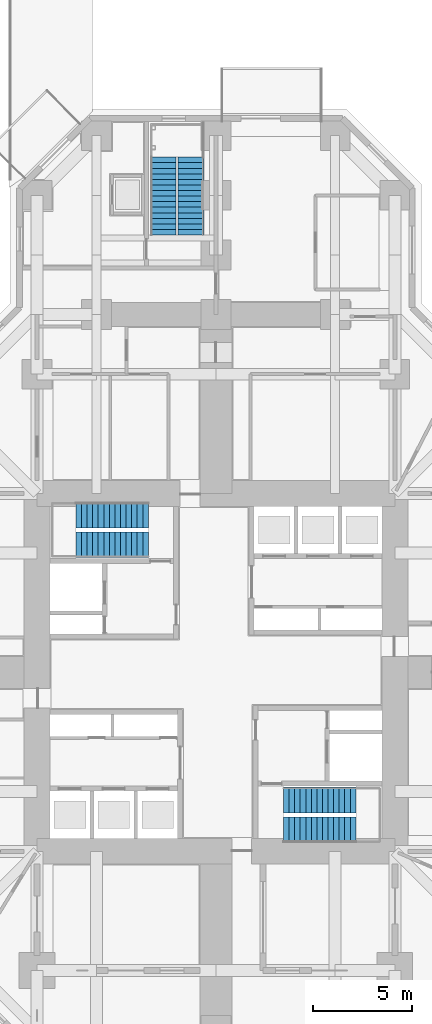
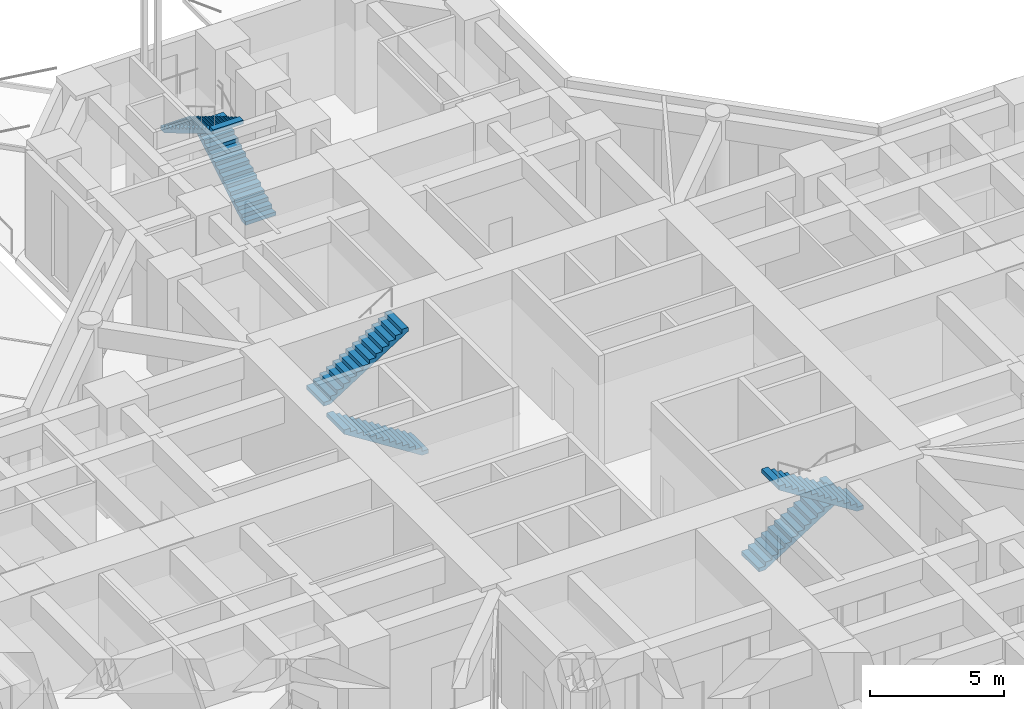
# One storey, part 11 of 14: 6 stair flights, 3 elements without a shape of their own.
"""IFC4 building model written with IfcOpenShell, lengths in metres."""

import ifcopenshell
import ifcopenshell.guid

model = None  # the IFC model being written
_history = None  # IfcOwnerHistory: only IFC2X3 demands one
_inside = {}  # id of a spatial element -> (the spatial element, [elements in it])
_under = {}  # id of a project, library or spatial element -> (it, [spatial elements below it])
_declared = {}  # id of a project -> (the project, [libraries it declares])
_typed = {}  # id of a type object -> (the type object, [elements of that type])
_made_of = {}  # id of a material, layer set ... -> (it, [elements and type objects made of it])


def new_model(schema):
    """Start an empty IFC model of exactly this schema.

    Asked for "IFC4X3", IfcOpenShell would pick the latest addendum, in which some entities
    have other attributes; the version numbers below select the first issue.
    IFC2X3 requires an IfcOwnerHistory on every rooted entity: one is made here for all.
    """
    global model, _history
    if schema == "IFC4X3":
        model = ifcopenshell.file(schema_version=(4, 3, 0, 0))
    else:
        model = ifcopenshell.file(schema=schema)
    _inside.clear()
    _under.clear()
    _declared.clear()
    _typed.clear()
    _made_of.clear()
    _history = None
    if model.schema == "IFC2X3":
        org = make("IfcOrganization", Name="unknown")
        user = make(
            "IfcPersonAndOrganization",
            ThePerson=make("IfcPerson", FamilyName="unknown"),
            TheOrganization=org,
        )
        app = make(
            "IfcApplication",
            ApplicationDeveloper=org,
            Version="unknown",
            ApplicationFullName="unknown",
            ApplicationIdentifier="unknown",
        )
        _history = make(
            "IfcOwnerHistory",
            OwningUser=user,
            OwningApplication=app,
            ChangeAction="ADDED",
            CreationDate=0,
        )
    return model


def make(cls, **values):
    """One entity of the class cls with the attributes given. An attribute that is None is left unset."""
    return model.create_entity(
        cls, **{name: value for name, value in values.items() if value is not None}
    )


def rooted(cls, **values):
    """An entity with a GlobalId (a new one), such as an element, a storey or a relation."""
    return make(cls, GlobalId=ifcopenshell.guid.new(), OwnerHistory=_history, **values)


def si_unit(unit_type, name, prefix=None):
    """IfcSIUnit, for example si_unit("LENGTHUNIT", "METRE", prefix="MILLI")."""
    return make("IfcSIUnit", UnitType=unit_type, Prefix=prefix, Name=name)


def assignment(units):
    """IfcUnitAssignment: the units of a project."""
    return None if units is None else make("IfcUnitAssignment", Units=units)


def point(xyz):
    """IfcCartesianPoint."""
    return None if xyz is None else make("IfcCartesianPoint", Coordinates=xyz)


def direction(xyz):
    """IfcDirection."""
    return None if xyz is None else make("IfcDirection", DirectionRatios=xyz)


def frame(location, z_axis=None, x_axis=None):
    """IfcAxis2Placement3D, a coordinate frame: its origin and axes. An axis left out is left unset."""
    return make(
        "IfcAxis2Placement3D",
        Location=point(location),
        Axis=direction(z_axis),
        RefDirection=direction(x_axis),
    )


def origin():
    """The frame at (0, 0, 0) with its axes left unset."""
    return frame((0.0, 0.0, 0.0))


def place(relative_to, where):
    """IfcLocalPlacement: puts the frame where relative to a parent placement (None: the world)."""
    return make(
        "IfcLocalPlacement", PlacementRelTo=relative_to, RelativePlacement=where
    )


def context(
    kind, dimensions, precision=None, world=None, true_north=None, identifier=None
):
    """IfcGeometricRepresentationContext, for example the 3D "Model" context."""
    return make(
        "IfcGeometricRepresentationContext",
        ContextIdentifier=identifier,
        ContextType=kind,
        CoordinateSpaceDimension=dimensions,
        Precision=precision,
        WorldCoordinateSystem=world,
        TrueNorth=true_north,
    )


def subcontext(parent, identifier, kind, view, scale=None):
    """IfcGeometricRepresentationSubContext, for example "Body" below "Model"."""
    return make(
        "IfcGeometricRepresentationSubContext",
        ContextIdentifier=identifier,
        ContextType=kind,
        ParentContext=parent,
        TargetScale=scale,
        TargetView=view,
    )


def project(units=None, contexts=None):
    """IfcProject with its units and contexts."""
    return rooted(
        "IfcProject",
        Name="project",
        RepresentationContexts=contexts,
        UnitsInContext=assignment(units),
    )


def spatial(cls, under=None, at=None, **own):
    """A site, building, storey or space (cls), placed at a placement, below another one or the project."""
    s = rooted(cls, ObjectPlacement=at, **own)
    if under is not None:
        _under.setdefault(under.id(), (under, []))[1].append(s)
    return s


def polyline(points):
    """IfcPolyline through the points."""
    return make("IfcPolyline", Points=[point(p) for p in points])


def outline(outer, holes=None, kind="AREA"):
    """IfcArbitraryClosedProfileDef: a profile drawn as a closed curve; with holes, ...WithVoids."""
    if holes is None:
        return make("IfcArbitraryClosedProfileDef", ProfileType=kind, OuterCurve=outer)
    return make(
        "IfcArbitraryProfileDefWithVoids",
        ProfileType=kind,
        OuterCurve=outer,
        InnerCurves=holes,
    )


def extrude(swept, where, along, depth):
    """IfcExtrudedAreaSolid: the profile swept, set in the frame where, extruded along a direction by depth."""
    return make(
        "IfcExtrudedAreaSolid",
        SweptArea=swept,
        Position=where,
        ExtrudedDirection=direction(along),
        Depth=depth,
    )


def shape(context_of_items, identifier, shape_type, items):
    """IfcShapeRepresentation: the items that make up one representation, for example the "Body"."""
    return make(
        "IfcShapeRepresentation",
        ContextOfItems=context_of_items,
        RepresentationIdentifier=identifier,
        RepresentationType=shape_type,
        Items=items,
    )


def material(Name=None, Category=None):
    """IfcMaterial."""
    return make("IfcMaterial", Name=Name, Category=Category)


def made_of(thing, what):
    """Note that an element or type object is made of a material, layer set ...; save() writes the relation."""
    if what is not None:
        _made_of.setdefault(what.id(), (what, []))[1].append(thing)
    return thing


def type_object(cls, material=None, **own):
    """A type object (cls), such as IfcWallType, which elements share."""
    return made_of(rooted(cls, **own), material)


def element(
    cls,
    number,
    at=None,
    inside=None,
    cuts=None,
    type_object=None,
    material=None,
    context=None,
    identifier="Body",
    shape_type=None,
    held_by="IfcProductDefinitionShape",
    body=None,
    shapes=None,
    **own,
):
    """One element of the class cls, such as IfcWall. Its Tag is "e" and its number.

    at: its placement. inside: the storey or other place that contains it. cuts: it is an
    opening in that element (IfcRelVoidsElement). A single representation is given by context,
    identifier, shape_type and body (its items); several are given by shapes. held_by: the class
    of the entity that holds the representations. save() writes the other relations.
    """
    e = rooted(cls, Tag="e%d" % number, ObjectPlacement=at, **own)
    if body is not None:
        shapes = [shape(context, identifier, shape_type, body)]
    if shapes is not None:
        e.Representation = make(held_by, Representations=shapes)
    if inside is not None:
        _inside.setdefault(inside.id(), (inside, []))[1].append(e)
    if cuts is not None:
        rooted(
            "IfcRelVoidsElement", RelatingBuildingElement=cuts, RelatedOpeningElement=e
        )
    if type_object is not None:
        _typed.setdefault(type_object.id(), (type_object, []))[1].append(e)
    return made_of(e, material)


def aggregate(whole, parts):
    """IfcRelAggregates: a whole, such as a stair, and the parts it consists of."""
    return rooted("IfcRelAggregates", RelatingObject=whole, RelatedObjects=parts)


def save(model, path):
    """Write the relations noted so far, then the file.

    IfcRelAggregates (storeys below a building ...), IfcRelContainedInSpatialStructure (elements
    in a storey), IfcRelDefinesByType, IfcRelAssociatesMaterial and IfcRelDeclares: one each for
    every whole, place, type object, material and project.
    """
    for whole, parts in _under.values():
        aggregate(whole, parts)
    for where, things in _inside.values():
        rooted(
            "IfcRelContainedInSpatialStructure",
            RelatedElements=things,
            RelatingStructure=where,
        )
    for kind, things in _typed.values():
        rooted("IfcRelDefinesByType", RelatedObjects=things, RelatingType=kind)
    for what, things in _made_of.values():
        rooted("IfcRelAssociatesMaterial", RelatedObjects=things, RelatingMaterial=what)
    for by, libraries in _declared.values():
        rooted("IfcRelDeclares", RelatingContext=by, RelatedDefinitions=libraries)
    model.write(path)


model = new_model("IFC4")

# Units and contexts
model_context = context("Model", 3, precision=1e-05, world=origin(), true_north=direction((0.0, 1.0)))
body_context = subcontext(model_context, "Body", "Model", "MODEL_VIEW")
ifc_project = project(units=[si_unit("LENGTHUNIT", "METRE"), si_unit("AREAUNIT", "SQUARE_METRE"), si_unit("VOLUMEUNIT", "CUBIC_METRE"), si_unit("PLANEANGLEUNIT", "RADIAN"), si_unit("MASSUNIT", "GRAM", prefix="KILO")], contexts=[model_context])

# Site, building, storey
site_placement = place(None, origin())
site = spatial("IfcSite", under=ifc_project, at=site_placement, CompositionType="ELEMENT")
building_placement = place(site_placement, origin())
building = spatial("IfcBuilding", under=site, at=building_placement, Name="Torre Cruceta", CompositionType="ELEMENT")
storey_placement = place(building_placement, origin())
storey = spatial("IfcBuildingStorey", under=building, at=storey_placement, Name="L00", CompositionType="ELEMENT", Elevation=0.0)

# Stair, stair flights
ifc_material_1 = material(Name="Concrete G30 (fck 30 MPa)", Category="concrete")
stair_type = type_object("IfcStairType", Name="STAIR HALF-TURN 1300", PredefinedType="HALF_TURN_STAIR", material=ifc_material_1)
stair_1_placement = place(storey_placement, origin())
stair_1 = element("IfcStair", 1, at=stair_1_placement, inside=storey, type_object=stair_type, Name="Stair ST1 L00", PredefinedType="HALF_TURN_STAIR")
ifc_material_2 = material(Name="Concrete G30 (fck 30 MPa)", Category="concrete")
stair_flight_type = type_object("IfcStairFlightType", Name="STAIR FLIGHT 1300", PredefinedType="STRAIGHT", material=ifc_material_2)
stair_flight_1_placement = place(storey_placement, frame((-3.39990234375, 6.425048828125, 0.0), z_axis=(0.0, 0.0, 1.0), x_axis=(-1.0, 0.0, 0.0)))
stair_flight_1 = element("IfcStairFlight", 2, at=stair_flight_1_placement, type_object=stair_flight_type, Name="ST1 flight 1", NumberOfRisers=14, NumberOfTreads=13, PredefinedType="STRAIGHT", RiserHeight=0.178571429, TreadLength=0.28, context=body_context, shape_type="SweptSolid", body=[
    extrude(outline(polyline([(0.0, 0.0), (0.0, 0.178466796875), (0.280029296875, 0.178466796875), (0.280029296875, 0.357177734375), (0.56005859375, 0.357177734375), (0.56005859375, 0.53564453125), (0.840087890625, 0.53564453125), (0.840087890625, 0.71435546875), (1.1201171875, 0.71435546875), (1.1201171875, 0.892822265625), (1.39990234375, 0.892822265625), (1.39990234375, 1.071533203125), (1.679931640625, 1.071533203125), (1.679931640625, 1.25), (1.9599609375, 1.25), (1.9599609375, 1.428466796875), (2.239990234375, 1.428466796875), (2.239990234375, 1.607177734375), (2.52001953125, 1.607177734375), (2.52001953125, 1.78564453125), (2.800048828125, 1.78564453125), (2.800048828125, 1.96435546875), (3.080078125, 1.96435546875), (3.080078125, 2.142822265625), (3.360107421875, 2.142822265625), (3.360107421875, 2.321533203125), (3.639892578125, 2.321533203125), (3.639892578125, 2.5), (3.639892578125, 2.1435546875), (0.27880859375, 0.0), (0.0, 0.0)])), frame((0.0, 0.64990234375, 0.0), z_axis=(0.0, -1.0, 0.0), x_axis=(1.0, 0.0, 0.0)), (0.0, 0.0, 1.0), 1.300048828125),
])
stair_flight_2_placement = place(storey_placement, frame((-7.0400390625, 7.925048828125, 2.5), z_axis=(0.0, 0.0, 1.0), x_axis=(1.0, 0.0, 0.0)))
stair_flight_2 = element("IfcStairFlight", 3, at=stair_flight_2_placement, type_object=stair_flight_type, Name="ST1 flight 2", NumberOfRisers=14, NumberOfTreads=13, PredefinedType="STRAIGHT", RiserHeight=0.178571429, TreadLength=0.28, context=body_context, shape_type="SweptSolid", body=[
    extrude(outline(polyline([(0.0, 0.0), (0.0, 0.178466796875), (0.280029296875, 0.178466796875), (0.280029296875, 0.357177734375), (0.56005859375, 0.357177734375), (0.56005859375, 0.53564453125), (0.840087890625, 0.53564453125), (0.840087890625, 0.71435546875), (1.1201171875, 0.71435546875), (1.1201171875, 0.892822265625), (1.39990234375, 0.892822265625), (1.39990234375, 1.071533203125), (1.679931640625, 1.071533203125), (1.679931640625, 1.25), (1.9599609375, 1.25), (1.9599609375, 1.428466796875), (2.239990234375, 1.428466796875), (2.239990234375, 1.607177734375), (2.52001953125, 1.607177734375), (2.52001953125, 1.78564453125), (2.800048828125, 1.78564453125), (2.800048828125, 1.96435546875), (3.080078125, 1.96435546875), (3.080078125, 2.142822265625), (3.360107421875, 2.142822265625), (3.360107421875, 2.321533203125), (3.639892578125, 2.321533203125), (3.639892578125, 2.5), (3.639892578125, 2.1435546875), (0.27880859375, 0.0), (0.0, 0.0)])), frame((0.0, 0.64990234375, 0.0), z_axis=(0.0, -1.0, 0.0), x_axis=(1.0, 0.0, 0.0)), (0.0, 0.0, 1.0), 1.300048828125),
])
aggregate(stair_1, [stair_flight_1, stair_flight_2])

stair_2_placement = place(storey_placement, origin())
stair_2 = element("IfcStair", 4, at=stair_2_placement, inside=storey, type_object=stair_type, Name="Stair ST2 L00", PredefinedType="HALF_TURN_STAIR")
stair_flight_3_placement = place(storey_placement, frame((3.39990234375, -6.425048828125, 0.0), z_axis=(0.0, 0.0, 1.0), x_axis=(1.0, 0.0, 0.0)))
stair_flight_3 = element("IfcStairFlight", 5, at=stair_flight_3_placement, type_object=stair_flight_type, Name="ST2 flight 1", NumberOfRisers=14, NumberOfTreads=13, PredefinedType="STRAIGHT", RiserHeight=0.178571429, TreadLength=0.28, context=body_context, shape_type="SweptSolid", body=[
    extrude(outline(polyline([(0.0, 0.0), (0.0, 0.178466796875), (0.280029296875, 0.178466796875), (0.280029296875, 0.357177734375), (0.56005859375, 0.357177734375), (0.56005859375, 0.53564453125), (0.840087890625, 0.53564453125), (0.840087890625, 0.71435546875), (1.1201171875, 0.71435546875), (1.1201171875, 0.892822265625), (1.39990234375, 0.892822265625), (1.39990234375, 1.071533203125), (1.679931640625, 1.071533203125), (1.679931640625, 1.25), (1.9599609375, 1.25), (1.9599609375, 1.428466796875), (2.239990234375, 1.428466796875), (2.239990234375, 1.607177734375), (2.52001953125, 1.607177734375), (2.52001953125, 1.78564453125), (2.800048828125, 1.78564453125), (2.800048828125, 1.96435546875), (3.080078125, 1.96435546875), (3.080078125, 2.142822265625), (3.360107421875, 2.142822265625), (3.360107421875, 2.321533203125), (3.639892578125, 2.321533203125), (3.639892578125, 2.5), (3.639892578125, 2.1435546875), (0.27880859375, 0.0), (0.0, 0.0)])), frame((0.0, 0.64990234375, 0.0), z_axis=(0.0, -1.0, 0.0), x_axis=(1.0, 0.0, 0.0)), (0.0, 0.0, 1.0), 1.300048828125),
])
stair_flight_4_placement = place(storey_placement, frame((7.0400390625, -7.925048828125, 2.5), z_axis=(0.0, 0.0, 1.0), x_axis=(-1.0, 0.0, 0.0)))
stair_flight_4 = element("IfcStairFlight", 6, at=stair_flight_4_placement, type_object=stair_flight_type, Name="ST2 flight 2", NumberOfRisers=14, NumberOfTreads=13, PredefinedType="STRAIGHT", RiserHeight=0.178571429, TreadLength=0.28, context=body_context, shape_type="SweptSolid", body=[
    extrude(outline(polyline([(0.0, 0.0), (0.0, 0.178466796875), (0.280029296875, 0.178466796875), (0.280029296875, 0.357177734375), (0.56005859375, 0.357177734375), (0.56005859375, 0.53564453125), (0.840087890625, 0.53564453125), (0.840087890625, 0.71435546875), (1.1201171875, 0.71435546875), (1.1201171875, 0.892822265625), (1.39990234375, 0.892822265625), (1.39990234375, 1.071533203125), (1.679931640625, 1.071533203125), (1.679931640625, 1.25), (1.9599609375, 1.25), (1.9599609375, 1.428466796875), (2.239990234375, 1.428466796875), (2.239990234375, 1.607177734375), (2.52001953125, 1.607177734375), (2.52001953125, 1.78564453125), (2.800048828125, 1.78564453125), (2.800048828125, 1.96435546875), (3.080078125, 1.96435546875), (3.080078125, 2.142822265625), (3.360107421875, 2.142822265625), (3.360107421875, 2.321533203125), (3.639892578125, 2.321533203125), (3.639892578125, 2.5), (3.639892578125, 2.1435546875), (0.27880859375, 0.0), (0.0, 0.0)])), frame((0.0, 0.64990234375, 0.0), z_axis=(0.0, -1.0, 0.0), x_axis=(1.0, 0.0, 0.0)), (0.0, 0.0, 1.0), 1.300048828125),
])
aggregate(stair_2, [stair_flight_3, stair_flight_4])

stair_3_placement = place(storey_placement, origin())
stair_3 = element("IfcStair", 7, at=stair_3_placement, inside=storey, type_object=stair_type, Name="Stair ST3 L00", PredefinedType="HALF_TURN_STAIR")
stair_flight_5_placement = place(storey_placement, frame((-1.25, 22.0, 0.0), z_axis=(0.0, 0.0, 1.0), x_axis=(0.0, 1.0, 0.0)))
stair_flight_5 = element("IfcStairFlight", 8, at=stair_flight_5_placement, type_object=stair_flight_type, Name="ST3 flight 1", NumberOfRisers=15, NumberOfTreads=14, PredefinedType="STRAIGHT", RiserHeight=0.166666667, TreadLength=0.28, context=body_context, shape_type="SweptSolid", body=[
    extrude(outline(polyline([(0.0, 0.0), (0.0, 0.166748046875), (0.280029296875, 0.166748046875), (0.280029296875, 0.333251953125), (0.56005859375, 0.333251953125), (0.56005859375, 0.5), (0.840087890625, 0.5), (0.840087890625, 0.666748046875), (1.1201171875, 0.666748046875), (1.1201171875, 0.833251953125), (1.39990234375, 0.833251953125), (1.39990234375, 1.0), (1.679931640625, 1.0), (1.679931640625, 1.166748046875), (1.9599609375, 1.166748046875), (1.9599609375, 1.333251953125), (2.239990234375, 1.333251953125), (2.239990234375, 1.5), (2.52001953125, 1.5), (2.52001953125, 1.666748046875), (2.800048828125, 1.666748046875), (2.800048828125, 1.833251953125), (3.080078125, 1.833251953125), (3.080078125, 2.0), (3.360107421875, 2.0), (3.360107421875, 2.166748046875), (3.639892578125, 2.166748046875), (3.639892578125, 2.333251953125), (3.919921875, 2.333251953125), (3.919921875, 2.5), (3.919921875, 2.158935546875), (0.29296875, 0.0), (0.0, 0.0)])), frame((0.0, 0.64990234375, 0.0), z_axis=(0.0, -1.0, 0.0), x_axis=(1.0, 0.0, 0.0)), (0.0, 0.0, 1.0), 1.300048828125),
])
stair_flight_6_placement = place(storey_placement, frame((-2.64990234375, 25.919921875, 2.5), z_axis=(0.0, 0.0, 1.0), x_axis=(0.0, -1.0, 0.0)))
stair_flight_6 = element("IfcStairFlight", 9, at=stair_flight_6_placement, type_object=stair_flight_type, Name="ST3 flight 2", NumberOfRisers=15, NumberOfTreads=14, PredefinedType="STRAIGHT", RiserHeight=0.166666667, TreadLength=0.28, context=body_context, shape_type="SweptSolid", body=[
    extrude(outline(polyline([(0.0, 0.0), (0.0, 0.166748046875), (0.280029296875, 0.166748046875), (0.280029296875, 0.333251953125), (0.56005859375, 0.333251953125), (0.56005859375, 0.5), (0.840087890625, 0.5), (0.840087890625, 0.666748046875), (1.1201171875, 0.666748046875), (1.1201171875, 0.833251953125), (1.39990234375, 0.833251953125), (1.39990234375, 1.0), (1.679931640625, 1.0), (1.679931640625, 1.166748046875), (1.9599609375, 1.166748046875), (1.9599609375, 1.333251953125), (2.239990234375, 1.333251953125), (2.239990234375, 1.5), (2.52001953125, 1.5), (2.52001953125, 1.666748046875), (2.800048828125, 1.666748046875), (2.800048828125, 1.833251953125), (3.080078125, 1.833251953125), (3.080078125, 2.0), (3.360107421875, 2.0), (3.360107421875, 2.166748046875), (3.639892578125, 2.166748046875), (3.639892578125, 2.333251953125), (3.919921875, 2.333251953125), (3.919921875, 2.5), (3.919921875, 2.158935546875), (0.29296875, 0.0), (0.0, 0.0)])), frame((0.0, 0.64990234375, 0.0), z_axis=(0.0, -1.0, 0.0), x_axis=(1.0, 0.0, 0.0)), (0.0, 0.0, 1.0), 1.300048828125),
])
aggregate(stair_3, [stair_flight_5, stair_flight_6])

save(model, "model.ifc")
